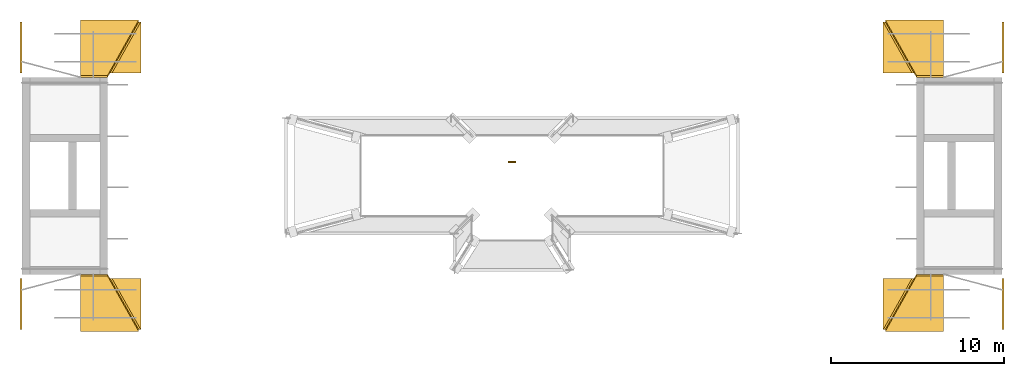
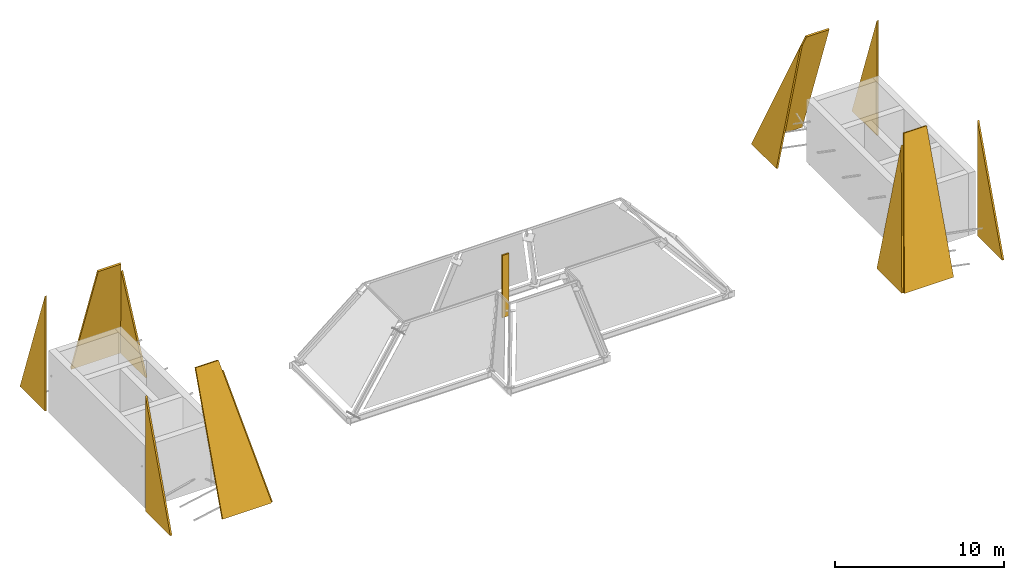
# One storey, part 4 of 4: 12 coverings, 1 railing.
"""IFC4 building model written with IfcOpenShell, lengths in metres."""

from ifc_helpers import new_model, si_unit, direction, frame, origin, origin_2d, place, context, subcontext, project, spatial, polyline, rectangle, outline, extrude, material, layer, layer_set, type_object, element, save


model = new_model("IFC4")

# Units and contexts
model_context = context("Model", 3, precision=1e-05, world=origin(), true_north=direction((0.0, 1.0)))
body_context = subcontext(model_context, "Body", "Model", "MODEL_VIEW")
ifc_project = project(units=[si_unit("LENGTHUNIT", "METRE"), si_unit("AREAUNIT", "SQUARE_METRE"), si_unit("VOLUMEUNIT", "CUBIC_METRE"), si_unit("PLANEANGLEUNIT", "RADIAN"), si_unit("MASSUNIT", "GRAM", prefix="KILO")], contexts=[model_context])

# Site, building, storey
site_placement = place(None, origin())
site = spatial("IfcSite", under=ifc_project, at=site_placement, CompositionType="ELEMENT")
building_placement = place(site_placement, origin())
building = spatial("IfcBuilding", under=site, at=building_placement, Name="Perihelion Cross Residences", CompositionType="ELEMENT")
storey_placement = place(building_placement, frame((0.0, 0.0, 312.300048828125)))
storey = spatial("IfcBuildingStorey", under=building, at=storey_placement, Name="L79", CompositionType="ELEMENT", Elevation=312.300048828125)

# Railing
ifc_material_1 = material(Name="Galvanised steel S355", Category="steel")
railing_type = type_object("IfcRailingType", Name="Fixed access ladder", PredefinedType="NOTDEFINED", material=ifc_material_1)
railing_placement = place(storey_placement, frame((0.0, 0.800048828125, 0.0), z_axis=(0.0, 0.0, 1.0), x_axis=(1.0, 0.0, 0.0)))
element("IfcRailing", 1, at=railing_placement, inside=storey, type_object=railing_type, Name="Fixed access ladder", PredefinedType="NOTDEFINED", context=body_context, shape_type="SweptSolid", body=[
    extrude(rectangle(XDim=0.449951171875, YDim=0.10009765625, at=origin_2d()), origin(), (0.0, 0.0, 1.0), 4.5),
])

# Coverings
ifc_material_2 = material(Name="Bronze anodised aluminium", Category="aluminium")
ifc_layer_1 = layer(ifc_material_2, 0.1201171875)
ifc_layer_set_1 = layer_set([ifc_layer_1], Name="Pylon facet panel, crown face")
covering_type_1 = type_object("IfcCoveringType", Name="Pylon facet panel, crown face", PredefinedType="CLADDING", material=ifc_layer_set_1)
covering_1_placement = place(storey_placement, frame((21.482421875, -8.889892578125, 0.0234375), z_axis=(-0.980581779218, -5.4679e-08, 0.19611061742), x_axis=(0.19611061742, 0.0, 0.980581779218)))
element("IfcCovering", 2, at=covering_1_placement, inside=storey, type_object=covering_type_1, Name="Pylon facet panel, east stack, crown face", PredefinedType="CLADDING", context=body_context, shape_type="SweptSolid", body=[
    extrude(outline(polyline([(0.0, 0.0), (0.028632189651068698, 0.0), (8.480347047807534, 2.9465332031276135), (-9.065805351348955e-13, 2.9465332031249956), (0.0, 0.0)])), origin(), (0.0, 0.0, -1.0), 0.1201171875),
])
covering_2_placement = place(storey_placement, frame((21.488037109375, 8.889892578125, 0.051513671875), z_axis=(-0.980581779218, 5.4679e-08, 0.19611061742), x_axis=(-0.19611061742, 0.0, -0.980581779218)))
element("IfcCovering", 3, at=covering_2_placement, inside=storey, type_object=covering_type_1, Name="Pylon facet panel, east stack, crown face", PredefinedType="CLADDING", context=body_context, shape_type="SweptSolid", body=[
    extrude(outline(polyline([(0.0, 0.0), (0.028632189651068698, 0.0), (0.028632189651975278, 2.9465332031249956), (-8.451714858156466, 2.9465332031276135), (0.0, 0.0)])), origin(), (0.0, 0.0, -1.0), 0.1201171875),
])
covering_3_placement = place(storey_placement, frame((-21.482421875, -5.943359375, 0.0234375), z_axis=(0.980581779218, -5.4679e-08, 0.19611061742), x_axis=(-0.19611061742, 0.0, 0.980581779218)))
element("IfcCovering", 4, at=covering_3_placement, inside=storey, type_object=covering_type_1, Name="Pylon facet panel, west stack, crown face", PredefinedType="CLADDING", context=body_context, shape_type="SweptSolid", body=[
    extrude(outline(polyline([(0.0, 0.0), (8.48034704780844, 1.3234889800848443e-23), (0.028632189651975278, 2.9465332031249956), (-9.065805351348955e-13, 2.9465332031249956), (0.0, 0.0)])), origin(), (0.0, 0.0, -1.0), 0.1201171875),
])
covering_4_placement = place(storey_placement, frame((-23.1455078125, 5.943359375, 8.339111328125), z_axis=(0.980581779218, 5.4679e-08, 0.19611061742), x_axis=(0.19611061742, 0.0, -0.980581779218)))
element("IfcCovering", 5, at=covering_4_placement, inside=storey, type_object=covering_type_1, Name="Pylon facet panel, west stack, crown face", PredefinedType="CLADDING", context=body_context, shape_type="SweptSolid", body=[
    extrude(outline(polyline([(0.0, 0.0), (8.48034704780844, 1.3234889800848443e-23), (8.480347047807534, 2.9465332031276135), (8.451714858157375, 2.9465332031250044), (0.0, 0.0)])), origin(), (0.0, 0.0, -1.0), 0.1201171875),
])
ifc_material_3 = material(Name="Bronze anodised aluminium", Category="aluminium")
ifc_layer_2 = layer(ifc_material_3, 0.1201171875)
ifc_layer_set_2 = layer_set([ifc_layer_2], Name="Pylon facet panel, lower flank")
covering_type_2 = type_object("IfcCoveringType", Name="Pylon facet panel, lower flank", PredefinedType="CLADDING", material=ifc_layer_set_2)
covering_5_placement = place(storey_placement, frame((24.965087890625, 5.81298828125, 9.0400390625), z_axis=(-4.976688e-06, 0.942207923491, 0.335028698601), x_axis=(-5e-12, 0.335028698605, -0.942207923503)))
element("IfcCovering", 6, at=covering_5_placement, inside=storey, type_object=covering_type_2, Name="Pylon facet panel, east stack, north flank, lower", PredefinedType="CLADDING", context=body_context, shape_type="SweptSolid", body=[
    extrude(outline(polyline([(0.0, 0.0), (9.552028582351898, 0.0), (9.552028582367468, 3.3549804687084532), (9.498901209487538, 3.3549804688305596), (7.263641298836625e-12, 1.5651855468556173), (0.0, 0.0)])), origin(), (0.0, 0.0, -1.0), 0.1201171875),
])
covering_6_placement = place(storey_placement, frame((21.610107421875, -8.995361328125, 0.090087890625), z_axis=(-4.976688e-06, -0.942207923491, 0.335028698601), x_axis=(2.294e-09, -0.335028698605, -0.942207923503)))
element("IfcCovering", 7, at=covering_6_placement, inside=storey, type_object=covering_type_2, Name="Pylon facet panel, east stack, south flank, lower", PredefinedType="CLADDING", context=body_context, shape_type="SweptSolid", body=[
    extrude(outline(polyline([(0.0, 0.0), (0.05312737287993006, 0.0), (0.053127380575349825, 3.3549804687084532), (-9.49890120177655, 3.3549804906625575), (-9.498901205366664, 1.78979494380694), (0.0, 0.0)])), origin(), (0.0, 0.0, -1.0), 0.1201171875),
])
covering_7_placement = place(storey_placement, frame((-23.39990234375, 5.81298828125, 9.0400390625), z_axis=(4.976688e-06, 0.942207923491, 0.335028698601), x_axis=(0.185163043206, 0.329234451744, -0.925915397439)))
element("IfcCovering", 8, at=covering_7_placement, inside=storey, type_object=covering_type_2, Name="Pylon facet panel, west stack, north flank, lower", PredefinedType="CLADDING", context=body_context, shape_type="SweptSolid", body=[
    extrude(outline(polyline([(0.0, 0.0), (9.666048316152423, 2.220446049250313e-16), (9.718257000589045, 0.009837226159872703), (9.097038607097963, 3.306802748121476), (-0.2898145190417211, 1.5381200670423403), (0.0, 0.0)])), origin(), (0.0, 0.0, -1.0), 0.1201171875),
])
covering_8_placement = place(storey_placement, frame((-23.39990234375, -5.81298828125, 9.0400390625), z_axis=(4.976688e-06, -0.942207923491, 0.335028698601), x_axis=(-0.999999999988, -4.689075e-06, 1.667333e-06)))
element("IfcCovering", 9, at=covering_8_placement, inside=storey, type_object=covering_type_2, Name="Pylon facet panel, west stack, south flank, lower", PredefinedType="CLADDING", context=body_context, shape_type="SweptSolid", body=[
    extrude(outline(polyline([(0.0, 0.0), (1.5651855468556173, 3.3144093169234128e-22), (1.5651855468112885, 9.5520285823519), (-1.7897949218971645, 9.5520285823519), (-1.7897949220190241, 9.498901209471969), (0.0, 0.0)])), origin(), (0.0, 0.0, -1.0), 0.1201171875),
])
ifc_material_4 = material(Name="Bronze anodised aluminium", Category="aluminium")
ifc_layer_3 = layer(ifc_material_4, 0.1201171875)
ifc_layer_set_3 = layer_set([ifc_layer_3], Name="Pylon facet panel, outer end")
covering_type_3 = type_object("IfcCoveringType", Name="Pylon facet panel, outer end", PredefinedType="CLADDING", material=ifc_layer_set_3)
covering_9_placement = place(storey_placement, frame((28.469970703125, -8.889892578125, 0.028076171875), z_axis=(1.0, 0.0, 0.0), x_axis=(0.0, 0.0, -1.0)))
element("IfcCovering", 10, at=covering_9_placement, inside=storey, type_object=covering_type_3, Name="Pylon facet panel, east stack, outer end", PredefinedType="CLADDING", context=body_context, shape_type="SweptSolid", body=[
    extrude(outline(polyline([(0.0, 0.0), (0.028076171875, 0.0), (0.028076171875, 2.946533203125), (-8.28759765625, 2.946533203125), (0.0, 0.0)])), origin(), (0.0, 0.0, -1.0), 0.1201171875),
])
covering_10_placement = place(storey_placement, frame((28.469970703125, 8.889892578125, 0.0), z_axis=(1.0, 0.0, 0.0), x_axis=(0.0, 0.0, 1.0)))
element("IfcCovering", 11, at=covering_10_placement, inside=storey, type_object=covering_type_3, Name="Pylon facet panel, east stack, outer end", PredefinedType="CLADDING", context=body_context, shape_type="SweptSolid", body=[
    extrude(outline(polyline([(0.0, 0.0), (0.028076171875, 0.0), (8.315673828125, 2.946533203125), (-9.065805351348955e-13, 2.9465332031249956), (0.0, 0.0)])), origin(), (0.0, 0.0, -1.0), 0.1201171875),
])
covering_11_placement = place(storey_placement, frame((-28.469970703125, -5.943359375, 8.315673828125), z_axis=(-1.0, 0.0, 0.0), x_axis=(0.0, 0.0, -1.0)))
element("IfcCovering", 12, at=covering_11_placement, inside=storey, type_object=covering_type_3, Name="Pylon facet panel, west stack, outer end", PredefinedType="CLADDING", context=body_context, shape_type="SweptSolid", body=[
    extrude(outline(polyline([(0.0, 0.0), (8.315673828125, 0.0), (8.315673828125, 2.946533203125), (8.28759765625, 2.946533203125), (0.0, 0.0)])), origin(), (0.0, 0.0, -1.0), 0.1201171875),
])
covering_12_placement = place(storey_placement, frame((-28.469970703125, 5.943359375, 0.0), z_axis=(-1.0, 0.0, 0.0), x_axis=(0.0, 0.0, 1.0)))
element("IfcCovering", 13, at=covering_12_placement, inside=storey, type_object=covering_type_3, Name="Pylon facet panel, west stack, outer end", PredefinedType="CLADDING", context=body_context, shape_type="SweptSolid", body=[
    extrude(outline(polyline([(0.0, 0.0), (8.315673828125, 0.0), (0.028076171875, 2.946533203125), (-9.065805351348955e-13, 2.9465332031249956), (0.0, 0.0)])), origin(), (0.0, 0.0, -1.0), 0.1201171875),
])

save(model, "model.ifc")
